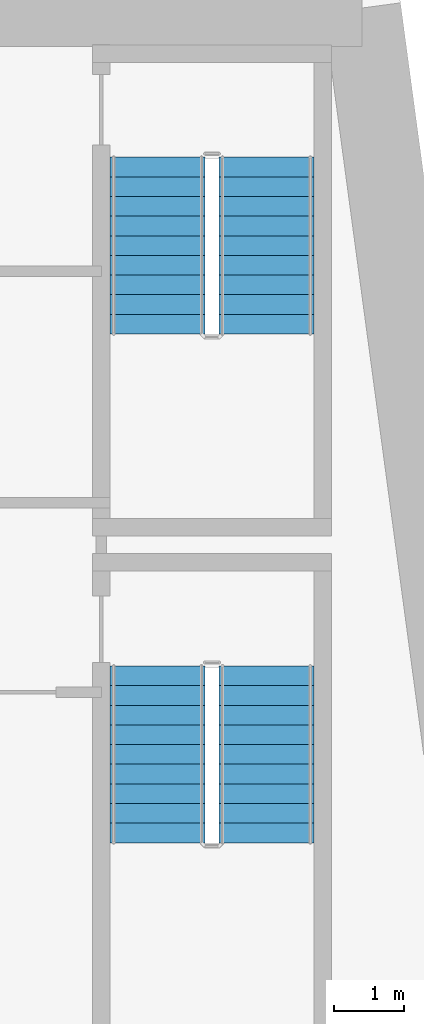
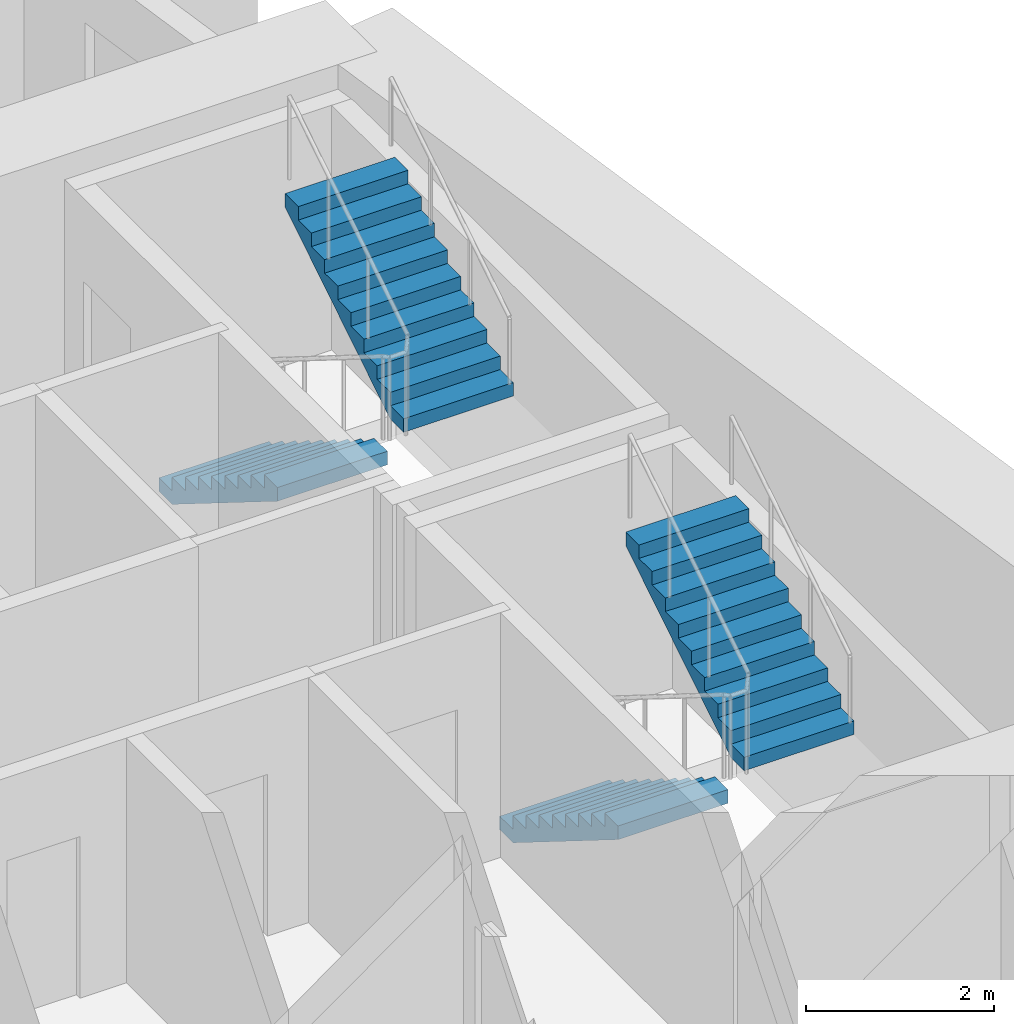
# One storey, part 8 of 13: 4 stair flights, 2 elements without a shape of their own.
"""IFC4 building model written with IfcOpenShell, lengths in metres."""

from ifc_helpers import new_model, si_unit, direction, frame, origin, place, context, subcontext, project, spatial, polyline, outline, extrude, material, type_object, element, aggregate, save


model = new_model("IFC4")

# Units and contexts
model_context = context("Model", 3, precision=1e-05, world=origin(), true_north=direction((0.0, 1.0)))
body_context = subcontext(model_context, "Body", "Model", "MODEL_VIEW")
ifc_project = project(units=[si_unit("LENGTHUNIT", "METRE"), si_unit("AREAUNIT", "SQUARE_METRE"), si_unit("VOLUMEUNIT", "CUBIC_METRE"), si_unit("PLANEANGLEUNIT", "RADIAN"), si_unit("MASSUNIT", "GRAM", prefix="KILO")], contexts=[model_context])

# Site, building, storey
site_placement = place(None, origin())
site = spatial("IfcSite", under=ifc_project, at=site_placement, CompositionType="ELEMENT")
building_placement = place(site_placement, origin())
building = spatial("IfcBuilding", under=site, at=building_placement, Name="Candeia Pilgrim Tower and Theatre", CompositionType="ELEMENT")
storey_placement = place(building_placement, frame((0.0, 0.0, 70.5)))
storey = spatial("IfcBuildingStorey", under=building, at=storey_placement, Name="L15", CompositionType="ELEMENT", Elevation=70.5)

# Stair, stair flights
ifc_material = material(Name="Concrete C40/50", Category="concrete")
stair_type = type_object("IfcStairType", Name="ST-TWR dog-leg escape stair", PredefinedType="HALF_TURN_STAIR", material=ifc_material)
stair_1_placement = place(storey_placement, origin())
stair_1 = element("IfcStair", 1, at=stair_1_placement, inside=storey, type_object=stair_type, Name="L15 Escape stair ST3", PredefinedType="HALF_TURN_STAIR")
stair_flight_type = type_object("IfcStairFlightType", Name="SFL-RC stair flight", PredefinedType="STRAIGHT", material=ifc_material)
stair_flight_1_placement = place(storey_placement, frame((134.77294921875, 122.47509765625, 0.0), z_axis=(0.0, 0.0, 1.0), x_axis=(0.0, -1.0, 0.0)))
stair_flight_1 = element("IfcStairFlight", 2, at=stair_flight_1_placement, type_object=stair_flight_type, Name="ST3 flight 1", NumberOfRisers=10, NumberOfTreads=9, PredefinedType="STRAIGHT", RiserHeight=0.175, TreadLength=0.28, context=body_context, shape_type="SweptSolid", body=[
    extrude(outline(polyline([(0.0, 0.0), (0.0, 0.175048828125), (0.280029296875, 0.175048828125), (0.280029296875, 0.35009765625), (0.56005859375, 0.35009765625), (0.56005859375, 0.52490234375), (0.840087890625, 0.52490234375), (0.840087890625, 0.699951171875), (1.1201171875, 0.699951171875), (1.1201171875, 0.875), (1.39990234375, 0.875), (1.39990234375, 1.050048828125), (1.679931640625, 1.050048828125), (1.679931640625, 1.22509765625), (1.9599609375, 1.22509765625), (1.9599609375, 1.39990234375), (2.239990234375, 1.39990234375), (2.239990234375, 1.574951171875), (2.52001953125, 1.574951171875), (2.52001953125, 1.75), (2.52001953125, 1.398193359375), (0.28271484375, 0.0), (0.0, 0.0)])), frame((0.0, 0.675048828125, 0.0), z_axis=(0.0, -1.0, 0.0), x_axis=(1.0, 0.0, 0.0)), (0.0, 0.0, 1.0), 1.35009765625),
])
stair_flight_2_placement = place(storey_placement, frame((136.322998046875, 119.955078125, 1.75), z_axis=(0.0, 0.0, 1.0), x_axis=(0.0, 1.0, 0.0)))
stair_flight_2 = element("IfcStairFlight", 3, at=stair_flight_2_placement, type_object=stair_flight_type, Name="ST3 flight 2", NumberOfRisers=10, NumberOfTreads=9, PredefinedType="STRAIGHT", RiserHeight=0.175, TreadLength=0.28, context=body_context, shape_type="SweptSolid", body=[
    extrude(outline(polyline([(0.0, 0.0), (0.0, 0.175048828125), (0.280029296875, 0.175048828125), (0.280029296875, 0.35009765625), (0.56005859375, 0.35009765625), (0.56005859375, 0.52490234375), (0.840087890625, 0.52490234375), (0.840087890625, 0.699951171875), (1.1201171875, 0.699951171875), (1.1201171875, 0.875), (1.39990234375, 0.875), (1.39990234375, 1.050048828125), (1.679931640625, 1.050048828125), (1.679931640625, 1.22509765625), (1.9599609375, 1.22509765625), (1.9599609375, 1.39990234375), (2.239990234375, 1.39990234375), (2.239990234375, 1.574951171875), (2.52001953125, 1.574951171875), (2.52001953125, 1.75), (2.52001953125, 1.398193359375), (0.28271484375, 0.0), (0.0, 0.0)])), frame((0.0, 0.675048828125, 0.0), z_axis=(0.0, -1.0, 0.0), x_axis=(1.0, 0.0, 0.0)), (0.0, 0.0, 1.0), 1.35009765625),
])
aggregate(stair_1, [stair_flight_1, stair_flight_2])

stair_2_placement = place(storey_placement, origin())
stair_2 = element("IfcStair", 4, at=stair_2_placement, inside=storey, type_object=stair_type, Name="L15 Escape stair ST4", PredefinedType="HALF_TURN_STAIR")
stair_flight_3_placement = place(storey_placement, frame((134.77294921875, 129.72509765625, 0.0), z_axis=(0.0, 0.0, 1.0), x_axis=(0.0, -1.0, 0.0)))
stair_flight_3 = element("IfcStairFlight", 5, at=stair_flight_3_placement, type_object=stair_flight_type, Name="ST4 flight 1", NumberOfRisers=10, NumberOfTreads=9, PredefinedType="STRAIGHT", RiserHeight=0.175, TreadLength=0.28, context=body_context, shape_type="SweptSolid", body=[
    extrude(outline(polyline([(0.0, 0.0), (0.0, 0.175048828125), (0.280029296875, 0.175048828125), (0.280029296875, 0.35009765625), (0.56005859375, 0.35009765625), (0.56005859375, 0.52490234375), (0.840087890625, 0.52490234375), (0.840087890625, 0.699951171875), (1.1201171875, 0.699951171875), (1.1201171875, 0.875), (1.39990234375, 0.875), (1.39990234375, 1.050048828125), (1.679931640625, 1.050048828125), (1.679931640625, 1.22509765625), (1.9599609375, 1.22509765625), (1.9599609375, 1.39990234375), (2.239990234375, 1.39990234375), (2.239990234375, 1.574951171875), (2.52001953125, 1.574951171875), (2.52001953125, 1.75), (2.52001953125, 1.398193359375), (0.28271484375, 0.0), (0.0, 0.0)])), frame((0.0, 0.675048828125, 0.0), z_axis=(0.0, -1.0, 0.0), x_axis=(1.0, 0.0, 0.0)), (0.0, 0.0, 1.0), 1.35009765625),
])
stair_flight_4_placement = place(storey_placement, frame((136.322998046875, 127.205078125, 1.75), z_axis=(0.0, 0.0, 1.0), x_axis=(0.0, 1.0, 0.0)))
stair_flight_4 = element("IfcStairFlight", 6, at=stair_flight_4_placement, type_object=stair_flight_type, Name="ST4 flight 2", NumberOfRisers=10, NumberOfTreads=9, PredefinedType="STRAIGHT", RiserHeight=0.175, TreadLength=0.28, context=body_context, shape_type="SweptSolid", body=[
    extrude(outline(polyline([(0.0, 0.0), (0.0, 0.175048828125), (0.280029296875, 0.175048828125), (0.280029296875, 0.35009765625), (0.56005859375, 0.35009765625), (0.56005859375, 0.52490234375), (0.840087890625, 0.52490234375), (0.840087890625, 0.699951171875), (1.1201171875, 0.699951171875), (1.1201171875, 0.875), (1.39990234375, 0.875), (1.39990234375, 1.050048828125), (1.679931640625, 1.050048828125), (1.679931640625, 1.22509765625), (1.9599609375, 1.22509765625), (1.9599609375, 1.39990234375), (2.239990234375, 1.39990234375), (2.239990234375, 1.574951171875), (2.52001953125, 1.574951171875), (2.52001953125, 1.75), (2.52001953125, 1.398193359375), (0.28271484375, 0.0), (0.0, 0.0)])), frame((0.0, 0.675048828125, 0.0), z_axis=(0.0, -1.0, 0.0), x_axis=(1.0, 0.0, 0.0)), (0.0, 0.0, 1.0), 1.35009765625),
])
aggregate(stair_2, [stair_flight_3, stair_flight_4])

save(model, "model.ifc")
